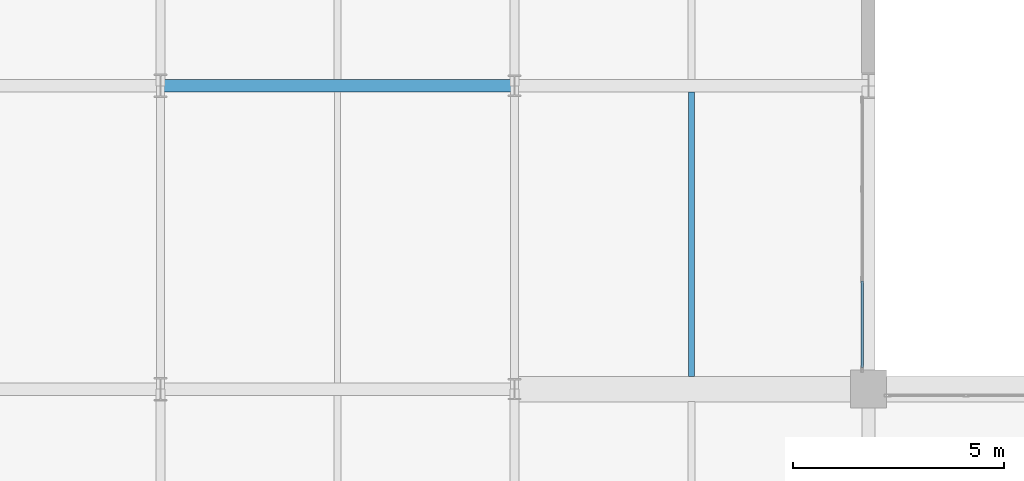
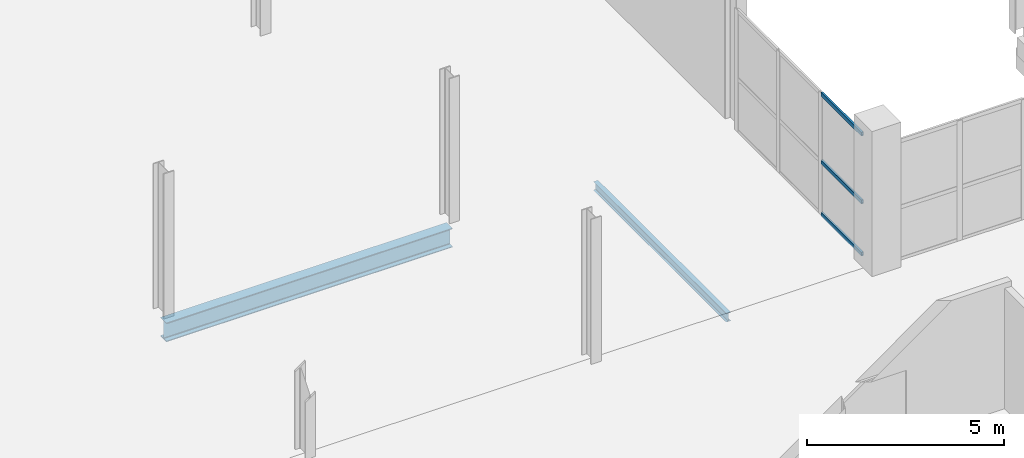
# One storey, part 37 of 109: 3 members, 2 beams, 1 element without a shape of its own.
"""IFC4 building model written with IfcOpenShell, lengths in metres."""

import ifcopenshell
import ifcopenshell.guid

model = None  # the IFC model being written
_history = None  # IfcOwnerHistory: only IFC2X3 demands one
_inside = {}  # id of a spatial element -> (the spatial element, [elements in it])
_under = {}  # id of a project, library or spatial element -> (it, [spatial elements below it])
_declared = {}  # id of a project -> (the project, [libraries it declares])
_typed = {}  # id of a type object -> (the type object, [elements of that type])
_made_of = {}  # id of a material, layer set ... -> (it, [elements and type objects made of it])


def new_model(schema):
    """Start an empty IFC model of exactly this schema.

    Asked for "IFC4X3", IfcOpenShell would pick the latest addendum, in which some entities
    have other attributes; the version numbers below select the first issue.
    IFC2X3 requires an IfcOwnerHistory on every rooted entity: one is made here for all.
    """
    global model, _history
    if schema == "IFC4X3":
        model = ifcopenshell.file(schema_version=(4, 3, 0, 0))
    else:
        model = ifcopenshell.file(schema=schema)
    _inside.clear()
    _under.clear()
    _declared.clear()
    _typed.clear()
    _made_of.clear()
    _history = None
    if model.schema == "IFC2X3":
        org = make("IfcOrganization", Name="unknown")
        user = make(
            "IfcPersonAndOrganization",
            ThePerson=make("IfcPerson", FamilyName="unknown"),
            TheOrganization=org,
        )
        app = make(
            "IfcApplication",
            ApplicationDeveloper=org,
            Version="unknown",
            ApplicationFullName="unknown",
            ApplicationIdentifier="unknown",
        )
        _history = make(
            "IfcOwnerHistory",
            OwningUser=user,
            OwningApplication=app,
            ChangeAction="ADDED",
            CreationDate=0,
        )
    return model


def make(cls, **values):
    """One entity of the class cls with the attributes given. An attribute that is None is left unset."""
    return model.create_entity(
        cls, **{name: value for name, value in values.items() if value is not None}
    )


def rooted(cls, **values):
    """An entity with a GlobalId (a new one), such as an element, a storey or a relation."""
    return make(cls, GlobalId=ifcopenshell.guid.new(), OwnerHistory=_history, **values)


def si_unit(unit_type, name, prefix=None):
    """IfcSIUnit, for example si_unit("LENGTHUNIT", "METRE", prefix="MILLI")."""
    return make("IfcSIUnit", UnitType=unit_type, Prefix=prefix, Name=name)


def assignment(units):
    """IfcUnitAssignment: the units of a project."""
    return None if units is None else make("IfcUnitAssignment", Units=units)


def point(xyz):
    """IfcCartesianPoint."""
    return None if xyz is None else make("IfcCartesianPoint", Coordinates=xyz)


def direction(xyz):
    """IfcDirection."""
    return None if xyz is None else make("IfcDirection", DirectionRatios=xyz)


def frame(location, z_axis=None, x_axis=None):
    """IfcAxis2Placement3D, a coordinate frame: its origin and axes. An axis left out is left unset."""
    return make(
        "IfcAxis2Placement3D",
        Location=point(location),
        Axis=direction(z_axis),
        RefDirection=direction(x_axis),
    )


def frame_2d(location, x_axis=None):
    """IfcAxis2Placement2D, a coordinate frame in the plane: its origin and x axis."""
    return make(
        "IfcAxis2Placement2D", Location=point(location), RefDirection=direction(x_axis)
    )


def origin():
    """The frame at (0, 0, 0) with its axes left unset."""
    return frame((0.0, 0.0, 0.0))


def origin_2d():
    """The frame at (0, 0) in the plane with its x axis left unset."""
    return frame_2d((0.0, 0.0))


def place(relative_to, where):
    """IfcLocalPlacement: puts the frame where relative to a parent placement (None: the world)."""
    return make(
        "IfcLocalPlacement", PlacementRelTo=relative_to, RelativePlacement=where
    )


def context(
    kind, dimensions, precision=None, world=None, true_north=None, identifier=None
):
    """IfcGeometricRepresentationContext, for example the 3D "Model" context."""
    return make(
        "IfcGeometricRepresentationContext",
        ContextIdentifier=identifier,
        ContextType=kind,
        CoordinateSpaceDimension=dimensions,
        Precision=precision,
        WorldCoordinateSystem=world,
        TrueNorth=true_north,
    )


def subcontext(parent, identifier, kind, view, scale=None):
    """IfcGeometricRepresentationSubContext, for example "Body" below "Model"."""
    return make(
        "IfcGeometricRepresentationSubContext",
        ContextIdentifier=identifier,
        ContextType=kind,
        ParentContext=parent,
        TargetScale=scale,
        TargetView=view,
    )


def project(units=None, contexts=None):
    """IfcProject with its units and contexts."""
    return rooted(
        "IfcProject",
        Name="project",
        RepresentationContexts=contexts,
        UnitsInContext=assignment(units),
    )


def spatial(cls, under=None, at=None, **own):
    """A site, building, storey or space (cls), placed at a placement, below another one or the project."""
    s = rooted(cls, ObjectPlacement=at, **own)
    if under is not None:
        _under.setdefault(under.id(), (under, []))[1].append(s)
    return s


def profile(cls, at=None, kind="AREA", **sizes):
    """A parametric profile (cls). Its sizes go by their IFC names, for example OverallWidth=200.0."""
    return make(cls, ProfileType=kind, Position=at, **sizes)


def hollow_rectangle(**sizes):
    """IfcRectangleHollowProfileDef."""
    return profile("IfcRectangleHollowProfileDef", **sizes)


def i_section(**sizes):
    """IfcIShapeProfileDef."""
    return profile("IfcIShapeProfileDef", **sizes)


def extrude(swept, where, along, depth):
    """IfcExtrudedAreaSolid: the profile swept, set in the frame where, extruded along a direction by depth."""
    return make(
        "IfcExtrudedAreaSolid",
        SweptArea=swept,
        Position=where,
        ExtrudedDirection=direction(along),
        Depth=depth,
    )


def shape(context_of_items, identifier, shape_type, items):
    """IfcShapeRepresentation: the items that make up one representation, for example the "Body"."""
    return make(
        "IfcShapeRepresentation",
        ContextOfItems=context_of_items,
        RepresentationIdentifier=identifier,
        RepresentationType=shape_type,
        Items=items,
    )


def material(Name=None, Category=None):
    """IfcMaterial."""
    return make("IfcMaterial", Name=Name, Category=Category)


def material_profile(
    of_material, cross_section, Name=None, Category=None, Priority=None
):
    """IfcMaterialProfile: a cross section and its material."""
    return make(
        "IfcMaterialProfile",
        Name=Name,
        Material=of_material,
        Profile=cross_section,
        Priority=Priority,
        Category=Category,
    )


def profile_set(profiles, Name=None, composite=None):
    """IfcMaterialProfileSet."""
    return make(
        "IfcMaterialProfileSet",
        Name=Name,
        MaterialProfiles=profiles,
        CompositeProfile=composite,
    )


def made_of(thing, what):
    """Note that an element or type object is made of a material, layer set ...; save() writes the relation."""
    if what is not None:
        _made_of.setdefault(what.id(), (what, []))[1].append(thing)
    return thing


def type_object(cls, material=None, **own):
    """A type object (cls), such as IfcWallType, which elements share."""
    return made_of(rooted(cls, **own), material)


def element(
    cls,
    number,
    at=None,
    inside=None,
    cuts=None,
    type_object=None,
    material=None,
    context=None,
    identifier="Body",
    shape_type=None,
    held_by="IfcProductDefinitionShape",
    body=None,
    shapes=None,
    **own,
):
    """One element of the class cls, such as IfcWall. Its Tag is "e" and its number.

    at: its placement. inside: the storey or other place that contains it. cuts: it is an
    opening in that element (IfcRelVoidsElement). A single representation is given by context,
    identifier, shape_type and body (its items); several are given by shapes. held_by: the class
    of the entity that holds the representations. save() writes the other relations.
    """
    e = rooted(cls, Tag="e%d" % number, ObjectPlacement=at, **own)
    if body is not None:
        shapes = [shape(context, identifier, shape_type, body)]
    if shapes is not None:
        e.Representation = make(held_by, Representations=shapes)
    if inside is not None:
        _inside.setdefault(inside.id(), (inside, []))[1].append(e)
    if cuts is not None:
        rooted(
            "IfcRelVoidsElement", RelatingBuildingElement=cuts, RelatedOpeningElement=e
        )
    if type_object is not None:
        _typed.setdefault(type_object.id(), (type_object, []))[1].append(e)
    return made_of(e, material)


def aggregate(whole, parts):
    """IfcRelAggregates: a whole, such as a stair, and the parts it consists of."""
    return rooted("IfcRelAggregates", RelatingObject=whole, RelatedObjects=parts)


def save(model, path):
    """Write the relations noted so far, then the file.

    IfcRelAggregates (storeys below a building ...), IfcRelContainedInSpatialStructure (elements
    in a storey), IfcRelDefinesByType, IfcRelAssociatesMaterial and IfcRelDeclares: one each for
    every whole, place, type object, material and project.
    """
    for whole, parts in _under.values():
        aggregate(whole, parts)
    for where, things in _inside.values():
        rooted(
            "IfcRelContainedInSpatialStructure",
            RelatedElements=things,
            RelatingStructure=where,
        )
    for kind, things in _typed.values():
        rooted("IfcRelDefinesByType", RelatedObjects=things, RelatingType=kind)
    for what, things in _made_of.values():
        rooted("IfcRelAssociatesMaterial", RelatedObjects=things, RelatingMaterial=what)
    for by, libraries in _declared.values():
        rooted("IfcRelDeclares", RelatingContext=by, RelatedDefinitions=libraries)
    model.write(path)


model = new_model("IFC4")

# Units and contexts
model_context = context("Model", 3, precision=1e-05, world=origin(), true_north=direction((0.0, 1.0)))
body_context = subcontext(model_context, "Body", "Model", "MODEL_VIEW")
ifc_project = project(units=[si_unit("LENGTHUNIT", "METRE"), si_unit("AREAUNIT", "SQUARE_METRE"), si_unit("VOLUMEUNIT", "CUBIC_METRE"), si_unit("PLANEANGLEUNIT", "RADIAN"), si_unit("MASSUNIT", "GRAM", prefix="KILO")], contexts=[model_context])

# Site, building, storey
site_placement = place(None, origin())
site = spatial("IfcSite", under=ifc_project, at=site_placement, CompositionType="ELEMENT")
building_placement = place(site_placement, origin())
building = spatial("IfcBuilding", under=site, at=building_placement, Name="Veltarok Museum of Natural Sciences", CompositionType="ELEMENT")
storey_placement = place(building_placement, frame((0.0, 0.0, 17.39990234375)))
storey = spatial("IfcBuildingStorey", under=building, at=storey_placement, Name="L03", CompositionType="ELEMENT", Elevation=17.39990234375)

# Curtain wall, members
ifc_material_1 = material(Name="Low-iron triple insulated glass", Category="glass")
curtain_wall_type = type_object("IfcCurtainWallType", Name="Curtain Wall System CW-V2E-L03-2-645x378 (CW-V2E L03 645x378cm)", PredefinedType="NOTDEFINED", material=ifc_material_1)
curtain_wall_placement = place(storey_placement, origin())
curtain_wall = element("IfcCurtainWall", 1, at=curtain_wall_placement, inside=storey, type_object=curtain_wall_type, Name="Curtain Wall CW-V2E-L03-2-645x378 CW-0134", PredefinedType="NOTDEFINED")
ifc_material_2 = material(Name="Thermally broken anodised aluminium", Category="aluminium")
ifc_material_profile_1 = material_profile(ifc_material_2, hollow_rectangle(XDim=0.06005859375, YDim=0.1201171875, WallThickness=0.0048828125, at=origin_2d()), Name="CW TRANSOM 60x120x5")
ifc_profile_set_1 = profile_set([ifc_material_profile_1], Name="Thermally broken anodised aluminium")
member_type = type_object("IfcMemberType", Name="Curtain Wall Horizontal Transom 60x120x5", PredefinedType="USERDEFINED", material=ifc_profile_set_1)
member_1_placement = place(storey_placement, frame((98.64990234375, 19.7099609375, 0.028076171875), z_axis=(0.0, 1.0, 0.0), x_axis=(-1.0, 0.0, 0.0)))
member_1 = element("IfcMember", 2, at=member_1_placement, type_object=member_type, Name="CW-V2E-L03-2-645x378 transom 1.1", ObjectType="TRANSOM", PredefinedType="USERDEFINED", context=body_context, shape_type="SweptSolid", body=[
    extrude(hollow_rectangle(XDim=0.06005859375, YDim=0.1201171875, WallThickness=0.0048828125, at=origin_2d()), origin(), (0.0, 0.0, 1.0), 2.06005859375),
])
member_2_placement = place(storey_placement, frame((98.64990234375, 19.7099609375, 1.648193359375), z_axis=(0.0, 1.0, 0.0), x_axis=(-1.0, 0.0, 0.0)))
member_2 = element("IfcMember", 3, at=member_2_placement, type_object=member_type, Name="CW-V2E-L03-2-645x378 transom 1.2", ObjectType="TRANSOM", PredefinedType="USERDEFINED", context=body_context, shape_type="SweptSolid", body=[
    extrude(hollow_rectangle(XDim=0.06005859375, YDim=0.1201171875, WallThickness=0.0048828125, at=origin_2d()), origin(), (0.0, 0.0, 1.0), 2.06005859375),
])
member_3_placement = place(storey_placement, frame((98.64990234375, 19.7099609375, 3.75), z_axis=(0.0, 1.0, 0.0), x_axis=(-1.0, 0.0, 0.0)))
member_3 = element("IfcMember", 4, at=member_3_placement, type_object=member_type, Name="CW-V2E-L03-2-645x378 transom 1.3", ObjectType="TRANSOM", PredefinedType="USERDEFINED", context=body_context, shape_type="SweptSolid", body=[
    extrude(hollow_rectangle(XDim=0.06005859375, YDim=0.1201171875, WallThickness=0.0048828125, at=origin_2d()), origin(), (0.0, 0.0, 1.0), 2.06005859375),
])
aggregate(curtain_wall, [member_1, member_2, member_3])

# Beams
ifc_material_3 = material(Name="Steel S355J2", Category="steel")
ifc_material_profile_2 = material_profile(ifc_material_3, i_section(OverallWidth=0.300048828125, OverallDepth=0.590087890625, WebThickness=0.012939453125, FlangeThickness=0.02490234375, FilletRadius=0.027099609375, at=origin_2d()), Name="HEA 600")
ifc_profile_set_2 = profile_set([ifc_material_profile_2], Name="Steel S355J2")
beam_type_1 = type_object("IfcBeamType", Name="Heavy Archive Girder HEA 600", PredefinedType="BEAM", material=ifc_profile_set_2)
beam_1_placement = place(storey_placement, frame((82.0, 26.39990234375, -0.544921875), z_axis=(1.0, 0.0, 0.0), x_axis=(0.0, 1.0, 0.0)))
element("IfcBeam", 5, at=beam_1_placement, inside=storey, type_object=beam_type_1, Name="Beam BM-G07 L03 10-11/D", PredefinedType="BEAM", context=body_context, shape_type="SweptSolid", body=[
    extrude(i_section(OverallWidth=0.300048828125, OverallDepth=0.590087890625, WebThickness=0.012939453125, FlangeThickness=0.02490234375, FilletRadius=0.027099609375, at=origin_2d()), origin(), (0.0, 0.0, 1.0), 8.39990234375),
])
ifc_material_profile_3 = material_profile(ifc_material_3, i_section(OverallWidth=0.135009765625, OverallDepth=0.27001953125, WebThickness=0.006591796875, FlangeThickness=0.01025390625, FilletRadius=0.014892578125, at=origin_2d()), Name="IPE 270")
ifc_profile_set_3 = profile_set([ifc_material_profile_3], Name="Steel S355J2")
beam_type_2 = type_object("IfcBeamType", Name="Short-Bay Composite Joist IPE 270", PredefinedType="JOIST", material=ifc_profile_set_3)
beam_2_placement = place(storey_placement, frame((94.60009765625, 19.498046875, -0.385009765625), z_axis=(0.0, 1.0, 0.0), x_axis=(-1.0, 0.0, 0.0)))
element("IfcBeam", 6, at=beam_2_placement, inside=storey, type_object=beam_type_2, Name="Secondary Joist BM-J04 L03 11-12/C-D.1", PredefinedType="JOIST", context=body_context, shape_type="SweptSolid", body=[
    extrude(i_section(OverallWidth=0.135009765625, OverallDepth=0.27001953125, WebThickness=0.006591796875, FlangeThickness=0.01025390625, FilletRadius=0.014892578125, at=origin_2d()), origin(), (0.0, 0.0, 1.0), 6.75390625),
])

save(model, "model.ifc")
